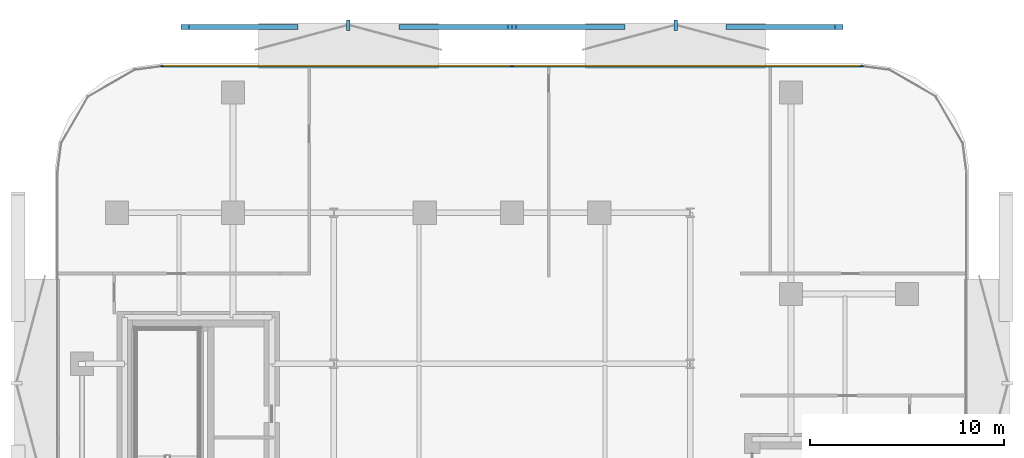
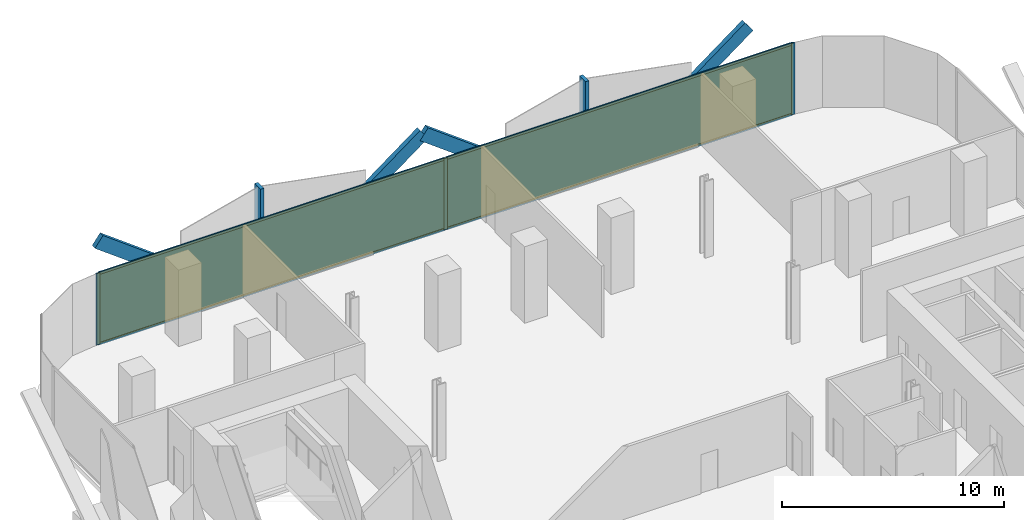
# One storey, part 10 of 15: 13 members, 2 plates, 1 curtain wall.
"""IFC4 building model written with IfcOpenShell, lengths in metres."""

import ifcopenshell
import ifcopenshell.guid

model = None  # the IFC model being written
_history = None  # IfcOwnerHistory: only IFC2X3 demands one
_inside = {}  # id of a spatial element -> (the spatial element, [elements in it])
_under = {}  # id of a project, library or spatial element -> (it, [spatial elements below it])
_declared = {}  # id of a project -> (the project, [libraries it declares])
_typed = {}  # id of a type object -> (the type object, [elements of that type])
_made_of = {}  # id of a material, layer set ... -> (it, [elements and type objects made of it])


def new_model(schema):
    """Start an empty IFC model of exactly this schema.

    Asked for "IFC4X3", IfcOpenShell would pick the latest addendum, in which some entities
    have other attributes; the version numbers below select the first issue.
    IFC2X3 requires an IfcOwnerHistory on every rooted entity: one is made here for all.
    """
    global model, _history
    if schema == "IFC4X3":
        model = ifcopenshell.file(schema_version=(4, 3, 0, 0))
    else:
        model = ifcopenshell.file(schema=schema)
    _inside.clear()
    _under.clear()
    _declared.clear()
    _typed.clear()
    _made_of.clear()
    _history = None
    if model.schema == "IFC2X3":
        org = make("IfcOrganization", Name="unknown")
        user = make(
            "IfcPersonAndOrganization",
            ThePerson=make("IfcPerson", FamilyName="unknown"),
            TheOrganization=org,
        )
        app = make(
            "IfcApplication",
            ApplicationDeveloper=org,
            Version="unknown",
            ApplicationFullName="unknown",
            ApplicationIdentifier="unknown",
        )
        _history = make(
            "IfcOwnerHistory",
            OwningUser=user,
            OwningApplication=app,
            ChangeAction="ADDED",
            CreationDate=0,
        )
    return model


def make(cls, **values):
    """One entity of the class cls with the attributes given. An attribute that is None is left unset."""
    return model.create_entity(
        cls, **{name: value for name, value in values.items() if value is not None}
    )


def rooted(cls, **values):
    """An entity with a GlobalId (a new one), such as an element, a storey or a relation."""
    return make(cls, GlobalId=ifcopenshell.guid.new(), OwnerHistory=_history, **values)


def si_unit(unit_type, name, prefix=None):
    """IfcSIUnit, for example si_unit("LENGTHUNIT", "METRE", prefix="MILLI")."""
    return make("IfcSIUnit", UnitType=unit_type, Prefix=prefix, Name=name)


def assignment(units):
    """IfcUnitAssignment: the units of a project."""
    return None if units is None else make("IfcUnitAssignment", Units=units)


def point(xyz):
    """IfcCartesianPoint."""
    return None if xyz is None else make("IfcCartesianPoint", Coordinates=xyz)


def direction(xyz):
    """IfcDirection."""
    return None if xyz is None else make("IfcDirection", DirectionRatios=xyz)


def frame(location, z_axis=None, x_axis=None):
    """IfcAxis2Placement3D, a coordinate frame: its origin and axes. An axis left out is left unset."""
    return make(
        "IfcAxis2Placement3D",
        Location=point(location),
        Axis=direction(z_axis),
        RefDirection=direction(x_axis),
    )


def frame_2d(location, x_axis=None):
    """IfcAxis2Placement2D, a coordinate frame in the plane: its origin and x axis."""
    return make(
        "IfcAxis2Placement2D", Location=point(location), RefDirection=direction(x_axis)
    )


def origin():
    """The frame at (0, 0, 0) with its axes left unset."""
    return frame((0.0, 0.0, 0.0))


def origin_2d():
    """The frame at (0, 0) in the plane with its x axis left unset."""
    return frame_2d((0.0, 0.0))


def place(relative_to, where):
    """IfcLocalPlacement: puts the frame where relative to a parent placement (None: the world)."""
    return make(
        "IfcLocalPlacement", PlacementRelTo=relative_to, RelativePlacement=where
    )


def context(
    kind, dimensions, precision=None, world=None, true_north=None, identifier=None
):
    """IfcGeometricRepresentationContext, for example the 3D "Model" context."""
    return make(
        "IfcGeometricRepresentationContext",
        ContextIdentifier=identifier,
        ContextType=kind,
        CoordinateSpaceDimension=dimensions,
        Precision=precision,
        WorldCoordinateSystem=world,
        TrueNorth=true_north,
    )


def subcontext(parent, identifier, kind, view, scale=None):
    """IfcGeometricRepresentationSubContext, for example "Body" below "Model"."""
    return make(
        "IfcGeometricRepresentationSubContext",
        ContextIdentifier=identifier,
        ContextType=kind,
        ParentContext=parent,
        TargetScale=scale,
        TargetView=view,
    )


def project(units=None, contexts=None):
    """IfcProject with its units and contexts."""
    return rooted(
        "IfcProject",
        Name="project",
        RepresentationContexts=contexts,
        UnitsInContext=assignment(units),
    )


def spatial(cls, under=None, at=None, **own):
    """A site, building, storey or space (cls), placed at a placement, below another one or the project."""
    s = rooted(cls, ObjectPlacement=at, **own)
    if under is not None:
        _under.setdefault(under.id(), (under, []))[1].append(s)
    return s


def profile(cls, at=None, kind="AREA", **sizes):
    """A parametric profile (cls). Its sizes go by their IFC names, for example OverallWidth=200.0."""
    return make(cls, ProfileType=kind, Position=at, **sizes)


def rectangle(**sizes):
    """IfcRectangleProfileDef."""
    return profile("IfcRectangleProfileDef", **sizes)


def extrude(swept, where, along, depth):
    """IfcExtrudedAreaSolid: the profile swept, set in the frame where, extruded along a direction by depth."""
    return make(
        "IfcExtrudedAreaSolid",
        SweptArea=swept,
        Position=where,
        ExtrudedDirection=direction(along),
        Depth=depth,
    )


def shape(context_of_items, identifier, shape_type, items):
    """IfcShapeRepresentation: the items that make up one representation, for example the "Body"."""
    return make(
        "IfcShapeRepresentation",
        ContextOfItems=context_of_items,
        RepresentationIdentifier=identifier,
        RepresentationType=shape_type,
        Items=items,
    )


def material(Name=None, Category=None):
    """IfcMaterial."""
    return make("IfcMaterial", Name=Name, Category=Category)


def layer(
    of_material, thickness, ventilated=None, Name=None, Category=None, Priority=None
):
    """IfcMaterialLayer: one layer of a wall or slab, of a material (None: an air gap)."""
    return make(
        "IfcMaterialLayer",
        Material=of_material,
        LayerThickness=thickness,
        IsVentilated=ventilated,
        Name=Name,
        Category=Category,
        Priority=Priority,
    )


def layer_set(layers, Name=None):
    """IfcMaterialLayerSet."""
    return make("IfcMaterialLayerSet", MaterialLayers=layers, LayerSetName=Name)


def material_profile(
    of_material, cross_section, Name=None, Category=None, Priority=None
):
    """IfcMaterialProfile: a cross section and its material."""
    return make(
        "IfcMaterialProfile",
        Name=Name,
        Material=of_material,
        Profile=cross_section,
        Priority=Priority,
        Category=Category,
    )


def profile_set(profiles, Name=None, composite=None):
    """IfcMaterialProfileSet."""
    return make(
        "IfcMaterialProfileSet",
        Name=Name,
        MaterialProfiles=profiles,
        CompositeProfile=composite,
    )


def made_of(thing, what):
    """Note that an element or type object is made of a material, layer set ...; save() writes the relation."""
    if what is not None:
        _made_of.setdefault(what.id(), (what, []))[1].append(thing)
    return thing


def type_object(cls, material=None, **own):
    """A type object (cls), such as IfcWallType, which elements share."""
    return made_of(rooted(cls, **own), material)


def element(
    cls,
    number,
    at=None,
    inside=None,
    cuts=None,
    type_object=None,
    material=None,
    context=None,
    identifier="Body",
    shape_type=None,
    held_by="IfcProductDefinitionShape",
    body=None,
    shapes=None,
    **own,
):
    """One element of the class cls, such as IfcWall. Its Tag is "e" and its number.

    at: its placement. inside: the storey or other place that contains it. cuts: it is an
    opening in that element (IfcRelVoidsElement). A single representation is given by context,
    identifier, shape_type and body (its items); several are given by shapes. held_by: the class
    of the entity that holds the representations. save() writes the other relations.
    """
    e = rooted(cls, Tag="e%d" % number, ObjectPlacement=at, **own)
    if body is not None:
        shapes = [shape(context, identifier, shape_type, body)]
    if shapes is not None:
        e.Representation = make(held_by, Representations=shapes)
    if inside is not None:
        _inside.setdefault(inside.id(), (inside, []))[1].append(e)
    if cuts is not None:
        rooted(
            "IfcRelVoidsElement", RelatingBuildingElement=cuts, RelatedOpeningElement=e
        )
    if type_object is not None:
        _typed.setdefault(type_object.id(), (type_object, []))[1].append(e)
    return made_of(e, material)


def aggregate(whole, parts):
    """IfcRelAggregates: a whole, such as a stair, and the parts it consists of."""
    return rooted("IfcRelAggregates", RelatingObject=whole, RelatedObjects=parts)


def save(model, path):
    """Write the relations noted so far, then the file.

    IfcRelAggregates (storeys below a building ...), IfcRelContainedInSpatialStructure (elements
    in a storey), IfcRelDefinesByType, IfcRelAssociatesMaterial and IfcRelDeclares: one each for
    every whole, place, type object, material and project.
    """
    for whole, parts in _under.values():
        aggregate(whole, parts)
    for where, things in _inside.values():
        rooted(
            "IfcRelContainedInSpatialStructure",
            RelatedElements=things,
            RelatingStructure=where,
        )
    for kind, things in _typed.values():
        rooted("IfcRelDefinesByType", RelatedObjects=things, RelatingType=kind)
    for what, things in _made_of.values():
        rooted("IfcRelAssociatesMaterial", RelatedObjects=things, RelatingMaterial=what)
    for by, libraries in _declared.values():
        rooted("IfcRelDeclares", RelatingContext=by, RelatedDefinitions=libraries)
    model.write(path)


model = new_model("IFC4")

# Units and contexts
model_context = context("Model", 3, precision=1e-05, world=origin(), true_north=direction((0.0, 1.0)))
body_context = subcontext(model_context, "Body", "Model", "MODEL_VIEW")
ifc_project = project(units=[si_unit("LENGTHUNIT", "METRE"), si_unit("AREAUNIT", "SQUARE_METRE"), si_unit("VOLUMEUNIT", "CUBIC_METRE"), si_unit("PLANEANGLEUNIT", "RADIAN"), si_unit("MASSUNIT", "GRAM", prefix="KILO")], contexts=[model_context])

# Member
ifc_material_1 = material(Name="Anodised Bronze Aluminium 6063-T6", Category="aluminium")
ifc_material_profile_1 = material_profile(ifc_material_1, rectangle(XDim=0.260009765625, YDim=0.699951171875, at=origin_2d()))
ifc_profile_set_1 = profile_set([ifc_material_profile_1], Name="Anodised Bronze Aluminium 6063-T6")
member_type_1 = type_object("IfcMemberType", Name="Bronze Diamond Solar-Screen Lattice Rib BDL-700", PredefinedType="MULLION", material=ifc_profile_set_1)
site_placement = place(None, origin())
building_placement = place(site_placement, origin())
storey_placement = place(building_placement, frame((0.0, 0.0, 126.800048828125)))
member_1_placement = place(storey_placement, frame((-5.63037109375, 28.199951171875, -0.130126953125), z_axis=(0.801540515917, 0.0, 0.597940466388), x_axis=(0.0, 1.0, 0.0)))
member_1 = element("IfcMember", 1, at=member_1_placement, type_object=member_type_1, Name="L29 Bronze Diamond Solar Screen Lattice Rib 181A", PredefinedType="MULLION", context=body_context, shape_type="SweptSolid", body=[
    extrude(rectangle(XDim=0.260009765625, YDim=0.699951171875, at=origin_2d()), origin(), (0.0, 0.0, 1.0), 7.0244140625),
])

member_2_placement = place(storey_placement, frame((-11.260498046875, 28.199951171875, -0.130126953125), z_axis=(-0.801540515917, 0.0, 0.597940466388), x_axis=(0.0, -1.0, 0.0)))
member_2 = element("IfcMember", 2, at=member_2_placement, type_object=member_type_1, Name="L29 Bronze Diamond Solar Screen Lattice Rib 181B", PredefinedType="MULLION", context=body_context, shape_type="SweptSolid", body=[
    extrude(rectangle(XDim=0.260009765625, YDim=0.699951171875, at=origin_2d()), origin(), (0.0, 0.0, 1.0), 7.0244140625),
])

member_3_placement = place(storey_placement, frame((11.260498046875, 28.199951171875, -0.130126953125), z_axis=(0.801540515917, 0.0, 0.597940466388), x_axis=(0.0, 1.0, 0.0)))
member_3 = element("IfcMember", 3, at=member_3_placement, type_object=member_type_1, Name="L29 Bronze Diamond Solar Screen Lattice Rib 182A", PredefinedType="MULLION", context=body_context, shape_type="SweptSolid", body=[
    extrude(rectangle(XDim=0.260009765625, YDim=0.699951171875, at=origin_2d()), origin(), (0.0, 0.0, 1.0), 7.0244140625),
])

member_4_placement = place(storey_placement, frame((5.63037109375, 28.199951171875, -0.130126953125), z_axis=(-0.801540515917, 0.0, 0.597940466388), x_axis=(0.0, -1.0, 0.0)))
member_4 = element("IfcMember", 4, at=member_4_placement, type_object=member_type_1, Name="L29 Bronze Diamond Solar Screen Lattice Rib 182B", PredefinedType="MULLION", context=body_context, shape_type="SweptSolid", body=[
    extrude(rectangle(XDim=0.260009765625, YDim=0.699951171875, at=origin_2d()), origin(), (0.0, 0.0, 1.0), 7.0244140625),
])

ifc_material_2 = material(Name="Anodised Bronze Aluminium 6063-T6", Category="aluminium")
ifc_material_profile_2 = material_profile(ifc_material_2, rectangle(XDim=0.179931640625, YDim=0.5400390625, at=origin_2d()))
ifc_profile_set_2 = profile_set([ifc_material_profile_2], Name="Anodised Bronze Aluminium 6063-T6")
member_type_2 = type_object("IfcMemberType", Name="Bronze Solar-Screen Vertical Fold Fin BSF-540", PredefinedType="MULLION", material=ifc_profile_set_2)
member_5_placement = place(storey_placement, frame((-8.4453125, 28.280029296875, -0.130126953125), z_axis=(0.0, 0.0, 1.0), x_axis=(1.0, 0.0, 0.0)))
member_5 = element("IfcMember", 5, at=member_5_placement, type_object=member_type_2, Name="L29 Bronze Solar Screen Vertical Fin 181", PredefinedType="MULLION", context=body_context, shape_type="SweptSolid", body=[
    extrude(rectangle(XDim=0.179931640625, YDim=0.5400390625, at=origin_2d()), origin(), (0.0, 0.0, 1.0), 4.2001953125),
])

member_6_placement = place(storey_placement, frame((8.4453125, 28.280029296875, -0.130126953125), z_axis=(0.0, 0.0, 1.0), x_axis=(1.0, 0.0, 0.0)))
member_6 = element("IfcMember", 6, at=member_6_placement, type_object=member_type_2, Name="L29 Bronze Solar Screen Vertical Fin 182", PredefinedType="MULLION", context=body_context, shape_type="SweptSolid", body=[
    extrude(rectangle(XDim=0.179931640625, YDim=0.5400390625, at=origin_2d()), origin(), (0.0, 0.0, 1.0), 4.2001953125),
])

ifc_material_3 = material(Name="Anodised Bronze Aluminium 6063-T6", Category="aluminium")
ifc_material_profile_3 = material_profile(ifc_material_3, rectangle(XDim=0.06494140625, YDim=0.175048828125, at=origin_2d()))
ifc_profile_set_3 = profile_set([ifc_material_profile_3], Name="Anodised Bronze Aluminium 6063-T6")
member_type_3 = type_object("IfcMemberType", Name="CW-Z2 Mullion 65x175", PredefinedType="MULLION", material=ifc_profile_set_3)
member_7_placement = place(storey_placement, frame((-18.058349609375, 26.159912109375, 0.0), z_axis=(0.0, 0.0, 1.0), x_axis=(0.0, 1.0, 0.0)))
member_7 = element("IfcMember", 7, at=member_7_placement, type_object=member_type_3, Name="CW-Z2 mullion 1", PredefinedType="MULLION", context=body_context, shape_type="SweptSolid", body=[
    extrude(rectangle(XDim=0.06494140625, YDim=0.175048828125, at=origin_2d()), origin(), (0.0, 0.0, 1.0), 3.93994140625),
])

member_8_placement = place(storey_placement, frame((0.0, 26.159912109375, 0.0), z_axis=(0.0, 0.0, 1.0), x_axis=(0.0, 1.0, 0.0)))
member_8 = element("IfcMember", 8, at=member_8_placement, type_object=member_type_3, Name="CW-Z2 mullion 2", PredefinedType="MULLION", context=body_context, shape_type="SweptSolid", body=[
    extrude(rectangle(XDim=0.06494140625, YDim=0.175048828125, at=origin_2d()), origin(), (0.0, 0.0, 1.0), 3.93994140625),
])

member_9_placement = place(storey_placement, frame((18.058349609375, 26.159912109375, 0.0), z_axis=(0.0, 0.0, 1.0), x_axis=(0.0, 1.0, 0.0)))
member_9 = element("IfcMember", 9, at=member_9_placement, type_object=member_type_3, Name="CW-Z2 mullion 3", PredefinedType="MULLION", context=body_context, shape_type="SweptSolid", body=[
    extrude(rectangle(XDim=0.06494140625, YDim=0.175048828125, at=origin_2d()), origin(), (0.0, 0.0, 1.0), 3.93994140625),
])

ifc_material_4 = material(Name="Anodised Bronze Aluminium 6063-T6", Category="aluminium")
ifc_material_profile_4 = material_profile(ifc_material_4, rectangle(XDim=0.06494140625, YDim=0.135009765625, at=origin_2d()))
ifc_profile_set_4 = profile_set([ifc_material_profile_4], Name="Anodised Bronze Aluminium 6063-T6")
member_type_4 = type_object("IfcMemberType", Name="CW-Z2 Transom 65x135", PredefinedType="USERDEFINED", material=ifc_profile_set_4)
member_10_placement = place(storey_placement, frame((-18.02587890625, 26.159912109375, 0.032470703125), z_axis=(1.0, 0.0, 0.0), x_axis=(0.0, 1.0, 0.0)))
member_10 = element("IfcMember", 10, at=member_10_placement, type_object=member_type_4, Name="CW-Z2 transom 1.1", ObjectType="TRANSOM", PredefinedType="USERDEFINED", context=body_context, shape_type="SweptSolid", body=[
    extrude(rectangle(XDim=0.06494140625, YDim=0.135009765625, at=origin_2d()), origin(), (0.0, 0.0, 1.0), 17.993408203125),
])

member_11_placement = place(storey_placement, frame((-18.02587890625, 26.159912109375, 3.907470703125), z_axis=(1.0, 0.0, 0.0), x_axis=(0.0, 1.0, 0.0)))
member_11 = element("IfcMember", 11, at=member_11_placement, type_object=member_type_4, Name="CW-Z2 transom 1.2", ObjectType="TRANSOM", PredefinedType="USERDEFINED", context=body_context, shape_type="SweptSolid", body=[
    extrude(rectangle(XDim=0.06494140625, YDim=0.135009765625, at=origin_2d()), origin(), (0.0, 0.0, 1.0), 17.993408203125),
])

member_12_placement = place(storey_placement, frame((0.032470703125, 26.159912109375, 0.032470703125), z_axis=(1.0, 0.0, 0.0), x_axis=(0.0, 1.0, 0.0)))
member_12 = element("IfcMember", 12, at=member_12_placement, type_object=member_type_4, Name="CW-Z2 transom 2.1", ObjectType="TRANSOM", PredefinedType="USERDEFINED", context=body_context, shape_type="SweptSolid", body=[
    extrude(rectangle(XDim=0.06494140625, YDim=0.135009765625, at=origin_2d()), origin(), (0.0, 0.0, 1.0), 17.993408203125),
])

member_13_placement = place(storey_placement, frame((0.032470703125, 26.159912109375, 3.907470703125), z_axis=(1.0, 0.0, 0.0), x_axis=(0.0, 1.0, 0.0)))
member_13 = element("IfcMember", 13, at=member_13_placement, type_object=member_type_4, Name="CW-Z2 transom 2.2", ObjectType="TRANSOM", PredefinedType="USERDEFINED", context=body_context, shape_type="SweptSolid", body=[
    extrude(rectangle(XDim=0.06494140625, YDim=0.135009765625, at=origin_2d()), origin(), (0.0, 0.0, 1.0), 17.993408203125),
])

# Plate
ifc_material_5 = material(Name="Low-E Solar Control Laminated Glass", Category="glass")
ifc_layer_1 = layer(ifc_material_5, 0.028076171875, Name="Low-E Solar Control Laminated Glass")
ifc_layer_set_1 = layer_set([ifc_layer_1], Name="Low-E Solar Control Laminated Glass")
plate_type = type_object("IfcPlateType", Name="CW-Z2 Low-E Double Glazed Panel 28mm", PredefinedType="CURTAIN_PANEL", material=ifc_layer_set_1)
plate_1_placement = place(storey_placement, frame((-9.029052734375, 26.159912109375, 0.06494140625), z_axis=(0.0, 0.0, 1.0), x_axis=(1.0, 0.0, 0.0)))
plate_1 = element("IfcPlate", 14, at=plate_1_placement, type_object=plate_type, Name="CW-Z2 panel 1.1", PredefinedType="CURTAIN_PANEL", context=body_context, shape_type="SweptSolid", body=[
    extrude(rectangle(XDim=17.993408203125, YDim=0.028076171875, at=origin_2d()), origin(), (0.0, 0.0, 1.0), 3.81005859375),
])

plate_2_placement = place(storey_placement, frame((9.029052734375, 26.159912109375, 0.06494140625), z_axis=(0.0, 0.0, 1.0), x_axis=(1.0, 0.0, 0.0)))
plate_2 = element("IfcPlate", 15, at=plate_2_placement, type_object=plate_type, Name="CW-Z2 panel 2.1", PredefinedType="CURTAIN_PANEL", context=body_context, shape_type="SweptSolid", body=[
    extrude(rectangle(XDim=17.993408203125, YDim=0.028076171875, at=origin_2d()), origin(), (0.0, 0.0, 1.0), 3.81005859375),
])

# Site, building, storey
site = spatial("IfcSite", under=ifc_project, at=site_placement, CompositionType="ELEMENT")
building = spatial("IfcBuilding", under=site, at=building_placement, Name="Khairoan Windgate Tower", CompositionType="ELEMENT")
storey = spatial("IfcBuildingStorey", under=building, at=storey_placement, Name="L29", CompositionType="ELEMENT", Elevation=126.800048828125)

# Curtain wall
ifc_material_6 = material(Name="Anodised Bronze Aluminium 6063-T6", Category="aluminium")
ifc_layer_2 = layer(ifc_material_6, 0.175048828125, Name="Anodised Bronze Aluminium 6063-T6")
ifc_layer_set_2 = layer_set([ifc_layer_2], Name="Anodised Bronze Aluminium 6063-T6")
curtain_wall_type = type_object("IfcCurtainWallType", Name="Mid-Rise Office Unitised Curtain Wall CW-Z2", PredefinedType="NOTDEFINED", material=ifc_layer_set_2)
curtain_wall_placement = place(storey_placement, frame((-18.0908203125, 26.159912109375, 0.0), z_axis=(0.0, 0.0, 1.0), x_axis=(1.0, 0.0, 0.0)))
curtain_wall = element("IfcCurtainWall", 16, at=curtain_wall_placement, inside=storey, type_object=curtain_wall_type, Name="L29 Unitised Curtain Wall 11", PredefinedType="NOTDEFINED", context=body_context, shape_type="SweptSolid", body=[
    extrude(rectangle(XDim=36.181640625, YDim=0.010009765625, at=frame_2d((18.0908203125, 0.0))), origin(), (0.0, 0.0, 1.0), 3.93994140625),
])

aggregate(curtain_wall, [member_7, member_8, member_9, member_10, member_11, plate_1, member_12, member_13, plate_2, member_1, member_2, member_5, member_3, member_4, member_6])

save(model, "model.ifc")
